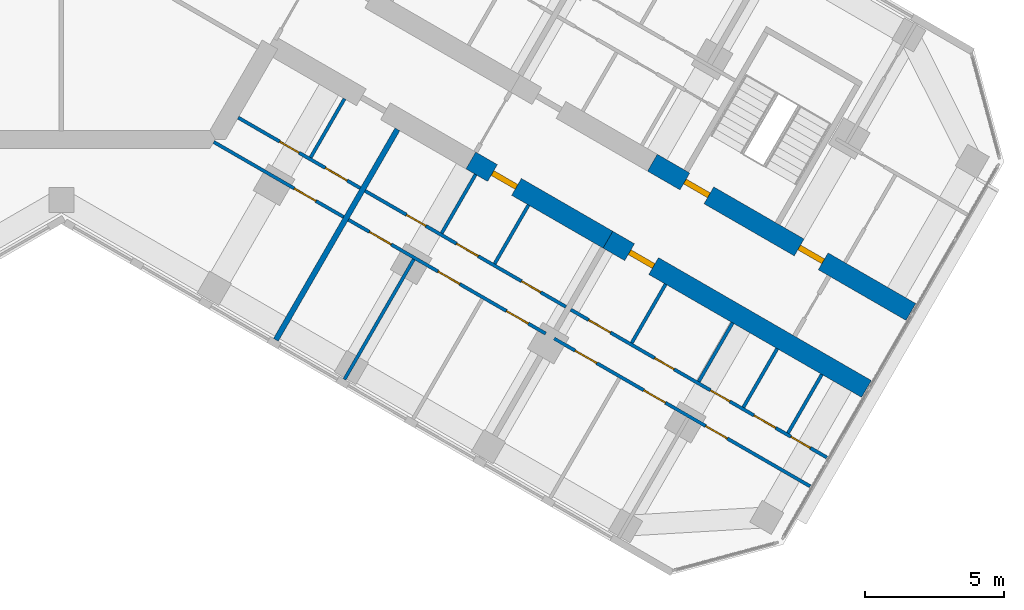
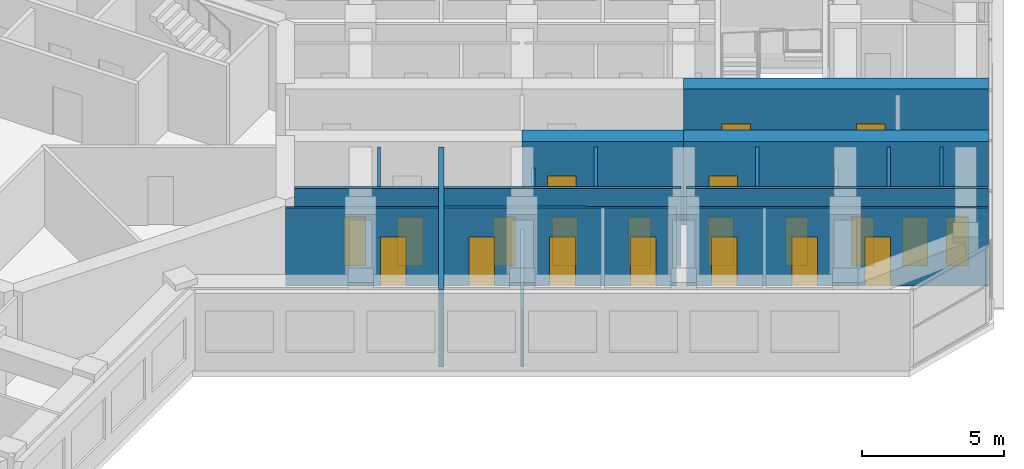
# One storey, part 11 of 16: 21 doors, 18 walls, 21 openings.
"""IFC4 building model written with IfcOpenShell, lengths in metres."""

from ifc_helpers import new_model, si_unit, direction, frame, frame_2d, origin, place, context, subcontext, project, spatial, rectangle, extrude, material, layer, layer_set, type_object, element, fill, save


model = new_model("IFC4")

# Units and contexts
model_context = context("Model", 3, precision=1e-05, world=origin(), true_north=direction((0.0, 1.0)))
body_context = subcontext(model_context, "Body", "Model", "MODEL_VIEW")
ifc_project = project(units=[si_unit("LENGTHUNIT", "METRE"), si_unit("AREAUNIT", "SQUARE_METRE"), si_unit("VOLUMEUNIT", "CUBIC_METRE"), si_unit("PLANEANGLEUNIT", "RADIAN"), si_unit("MASSUNIT", "GRAM", prefix="KILO")], contexts=[model_context])

# Site, building, storey
site_placement = place(None, origin())
site = spatial("IfcSite", under=ifc_project, at=site_placement, CompositionType="ELEMENT")
building_placement = place(site_placement, origin())
building = spatial("IfcBuilding", under=site, at=building_placement, Name="Kosmar Iwan School Tower", CompositionType="ELEMENT")
storey_placement = place(building_placement, frame((0.0, 0.0, 222.60009765625)))
storey = spatial("IfcBuildingStorey", under=building, at=storey_placement, Name="L56", CompositionType="ELEMENT", Elevation=222.60009765625)

# Wall, openings, doors
ifc_material_1 = material(Name="Concrete C50/60", Category="concrete")
ifc_layer_1 = layer(ifc_material_1, 0.699951171875)
ifc_layer_set_1 = layer_set([ifc_layer_1], Name="Corridor buttress wall 700")
wall_type_1 = type_object("IfcWallType", Name="Corridor buttress wall 700", PredefinedType="SHEAR", material=ifc_layer_set_1)
wall_1_placement = place(storey_placement, frame((21.281494140625, -10.439453125, 0.0), z_axis=(0.0, 0.0, 1.0), x_axis=(0.866032345022, -0.499987977232, 0.0)))
wall_1 = element("IfcWall", 1, at=wall_1_placement, inside=storey, type_object=wall_type_1, Name="Corridor wall CL bay 3", PredefinedType="SHEAR", context=body_context, shape_type="SweptSolid", body=[
    extrude(rectangle(XDim=10.744873046875, YDim=0.699951171875, at=frame_2d((5.37255859375, 0.0))), origin(), (0.0, 0.0, 1.0), 3.599853515625),
])
opening_1_placement = place(wall_1_placement, frame((6.10009765625, 0.0, 0.0)))
opening_1 = element("IfcOpeningElement", 2, at=opening_1_placement, cuts=wall_1, Name="Opening D1", PredefinedType="OPENING", context=body_context, shape_type="SweptSolid", body=[
    extrude(rectangle(XDim=1.0, YDim=2.10009765625, at=frame_2d((0.5, 1.050048828125))), frame((0.0, 0.362060546875, 0.0), z_axis=(0.0, -1.0, 0.0), x_axis=(1.0, 0.0, 0.0)), (0.0, 0.0, 1.0), 0.723876953125),
])
opening_2_placement = place(wall_1_placement, frame((1.35009765625, 0.0, 0.0)))
opening_2 = element("IfcOpeningElement", 3, at=opening_2_placement, cuts=wall_1, Name="Opening D6", PredefinedType="OPENING", context=body_context, shape_type="SweptSolid", body=[
    extrude(rectangle(XDim=1.0, YDim=2.10009765625, at=frame_2d((0.5, 1.050048828125))), frame((0.0, 0.362060546875, 0.0), z_axis=(0.0, -1.0, 0.0), x_axis=(1.0, 0.0, 0.0)), (0.0, 0.0, 1.0), 0.723876953125),
])
ifc_material_2 = material(Name="Timber fire door in steel frame", Category="steel")
door_type_1 = type_object("IfcDoorType", Name="Flat entrance door 1000x2100", OperationType="SINGLE_SWING_LEFT", PredefinedType="DOOR", material=ifc_material_2)
door_1_placement = place(opening_1_placement, origin())
door_1 = element("IfcDoor", 4, at=door_1_placement, inside=storey, type_object=door_type_1, Name="Flat L56-CL3 entrance door", OperationType="SINGLE_SWING_RIGHT", OverallHeight=2.10009765625, OverallWidth=1.0, PredefinedType="DOOR", context=body_context, shape_type="SweptSolid", body=[
    extrude(rectangle(XDim=1.0, YDim=2.10009765625, at=frame_2d((0.5, 1.050048828125))), frame((0.0, 0.10009765625, 0.0), z_axis=(0.0, -1.0, 0.0), x_axis=(1.0, 0.0, 0.0)), (0.0, 0.0, 1.0), 0.199951171875),
])
fill(opening_1, door_1)
ifc_material_3 = material(Name="Steel fire door", Category="steel")
door_type_2 = type_object("IfcDoorType", Name="Stair door 1000x2100", OperationType="SINGLE_SWING_LEFT", PredefinedType="DOOR", material=ifc_material_3)
door_2_placement = place(opening_2_placement, origin())
door_2 = element("IfcDoor", 5, at=door_2_placement, inside=storey, type_object=door_type_2, Name="Stair WS3 door L56", OperationType="SINGLE_SWING_LEFT", OverallHeight=2.10009765625, OverallWidth=1.0, PredefinedType="DOOR", context=body_context, shape_type="SweptSolid", body=[
    extrude(rectangle(XDim=1.0, YDim=2.10009765625, at=frame_2d((0.5, 1.050048828125))), frame((0.0, 0.10009765625, 0.0), z_axis=(0.0, -1.0, 0.0), x_axis=(1.0, 0.0, 0.0)), (0.0, 0.0, 1.0), 0.199951171875),
])
fill(opening_2, door_2)

# Wall, opening, door
wall_2_placement = place(storey_placement, frame((14.7451171875, -10.360595703125, 0.0), z_axis=(0.0, 0.0, 1.0), x_axis=(0.866015111908, -0.50001782563, 0.0)))
wall_2 = element("IfcWall", 6, at=wall_2_placement, inside=storey, type_object=wall_type_1, Name="Corridor wall CR bay 2", PredefinedType="SHEAR", context=body_context, shape_type="SweptSolid", body=[
    extrude(rectangle(XDim=5.699951171875, YDim=0.699951171875, at=frame_2d((2.85009765625, 0.0))), origin(), (0.0, 0.0, 1.0), 3.599853515625),
])
opening_3_placement = place(wall_2_placement, frame((0.89990234375, 0.0, 0.0)))
opening_3 = element("IfcOpeningElement", 7, at=opening_3_placement, cuts=wall_2, Name="Opening D1", PredefinedType="OPENING", context=body_context, shape_type="SweptSolid", body=[
    extrude(rectangle(XDim=1.0, YDim=2.10009765625, at=frame_2d((0.5, 1.050048828125))), frame((0.0, 0.362060546875, 0.0), z_axis=(0.0, -1.0, 0.0), x_axis=(1.0, 0.0, 0.0)), (0.0, 0.0, 1.0), 0.723876953125),
])
door_3_placement = place(opening_3_placement, origin())
door_3 = element("IfcDoor", 8, at=door_3_placement, inside=storey, type_object=door_type_1, Name="Flat L56-CR2 entrance door", OperationType="SINGLE_SWING_LEFT", OverallHeight=2.10009765625, OverallWidth=1.0, PredefinedType="DOOR", context=body_context, shape_type="SweptSolid", body=[
    extrude(rectangle(XDim=1.0, YDim=2.10009765625, at=frame_2d((0.5, 1.050048828125))), frame((0.0, 0.10009765625, 0.0), z_axis=(0.0, -1.0, 0.0), x_axis=(1.0, 0.0, 0.0)), (0.0, 0.0, 1.0), 0.199951171875),
])
fill(opening_3, door_3)

wall_3_placement = place(storey_placement, frame((19.681396484375, -13.210693359375, 0.0), z_axis=(0.0, 0.0, 1.0), x_axis=(0.866028186671, -0.499995179869, 0.0)))
wall_3 = element("IfcWall", 9, at=wall_3_placement, inside=storey, type_object=wall_type_1, Name="Corridor wall CR bay 3", PredefinedType="SHEAR", context=body_context, shape_type="SweptSolid", body=[
    extrude(rectangle(XDim=10.7451171875, YDim=0.699951171875, at=frame_2d((5.37255859375, 0.0))), origin(), (0.0, 0.0, 1.0), 3.599853515625),
])
opening_4_placement = place(wall_3_placement, frame((0.89990234375, 0.0, 0.0)))
opening_4 = element("IfcOpeningElement", 10, at=opening_4_placement, cuts=wall_3, Name="Opening D1", PredefinedType="OPENING", context=body_context, shape_type="SweptSolid", body=[
    extrude(rectangle(XDim=1.0, YDim=2.10009765625, at=frame_2d((0.5, 1.050048828125))), frame((0.0, 0.362060546875, 0.0), z_axis=(0.0, -1.0, 0.0), x_axis=(1.0, 0.0, 0.0)), (0.0, 0.0, 1.0), 0.723876953125),
])
door_4_placement = place(opening_4_placement, origin())
door_4 = element("IfcDoor", 11, at=door_4_placement, inside=storey, type_object=door_type_1, Name="Flat L56-CR3 entrance door", OperationType="SINGLE_SWING_LEFT", OverallHeight=2.10009765625, OverallWidth=1.0, PredefinedType="DOOR", context=body_context, shape_type="SweptSolid", body=[
    extrude(rectangle(XDim=1.0, YDim=2.10009765625, at=frame_2d((0.5, 1.050048828125))), frame((0.0, 0.10009765625, 0.0), z_axis=(0.0, -1.0, 0.0), x_axis=(1.0, 0.0, 0.0)), (0.0, 0.0, 1.0), 0.199951171875),
])
fill(opening_4, door_4)

# Wall, openings, doors
ifc_material_4 = material(Name="Gypsum board on steel studs", Category="steel")
ifc_layer_2 = layer(ifc_material_4, 0.1201171875)
ifc_layer_set_2 = layer_set([ifc_layer_2], Name="Dwelling partition 120")
wall_type_2 = type_object("IfcWallType", Name="Dwelling partition 120", PredefinedType="PARTITIONING", material=ifc_layer_set_2)
wall_4_placement = place(storey_placement, frame((6.370361328125, -8.81640625, 0.0), z_axis=(0.0, 0.0, 1.0), x_axis=(0.866034976542, -0.499983419131, 0.0)))
wall_4 = element("IfcWall", 12, at=wall_4_placement, inside=storey, type_object=wall_type_2, Name="Partition L56-CR1-W1", PredefinedType="PARTITIONING", context=body_context, shape_type="SweptSolid", body=[
    extrude(rectangle(XDim=5.074951171875, YDim=0.1201171875, at=frame_2d((2.53759765625, 0.0))), origin(), (0.0, 0.0, 1.0), 3.349853515625),
])
opening_5_placement = place(wall_4_placement, frame((1.72509765625, 0.0, 0.0)))
opening_5 = element("IfcOpeningElement", 13, at=opening_5_placement, cuts=wall_4, Name="Opening D3", PredefinedType="OPENING", context=body_context, shape_type="SweptSolid", body=[
    extrude(rectangle(XDim=0.800048828125, YDim=2.10009765625, at=frame_2d((0.39990234375, 1.050048828125))), frame((0.0, 0.072021484375, 0.0), z_axis=(0.0, -1.0, 0.0), x_axis=(1.0, 0.0, 0.0)), (0.0, 0.0, 1.0), 0.14404296875),
])
opening_6_placement = place(wall_4_placement, frame((3.625, 0.0, 0.0)))
opening_6 = element("IfcOpeningElement", 14, at=opening_6_placement, cuts=wall_4, Name="Opening D2", PredefinedType="OPENING", context=body_context, shape_type="SweptSolid", body=[
    extrude(rectangle(XDim=0.89990234375, YDim=2.10009765625, at=frame_2d((0.449951171875, 1.050048828125))), frame((0.0, 0.072021484375, 0.0), z_axis=(0.0, -1.0, 0.0), x_axis=(1.0, 0.0, 0.0)), (0.0, 0.0, 1.0), 0.14404296875),
])
ifc_material_5 = material(Name="Timber door in timber frame", Category="wood")
door_type_3 = type_object("IfcDoorType", Name="Internal door 900x2100", OperationType="SINGLE_SWING_LEFT", PredefinedType="DOOR", material=ifc_material_5)
door_5_placement = place(opening_6_placement, origin())
door_5 = element("IfcDoor", 15, at=door_5_placement, inside=storey, type_object=door_type_3, Name="Entrance hall door L56-CR1-S2", OperationType="SINGLE_SWING_RIGHT", OverallHeight=2.10009765625, OverallWidth=0.89990234375, PredefinedType="DOOR", context=body_context, shape_type="SweptSolid", body=[
    extrude(rectangle(XDim=0.89990234375, YDim=2.10009765625, at=frame_2d((0.449951171875, 1.050048828125))), frame((0.0, 0.02490234375, 0.0), z_axis=(0.0, -1.0, 0.0), x_axis=(1.0, 0.0, 0.0)), (0.0, 0.0, 1.0), 0.050048828125),
])
fill(opening_6, door_5)
ifc_material_6 = material(Name="Timber door in timber frame", Category="wood")
door_type_4 = type_object("IfcDoorType", Name="Sanitary room door 800x2100", OperationType="SINGLE_SWING_LEFT", PredefinedType="DOOR", material=ifc_material_6)
door_6_placement = place(opening_5_placement, origin())
door_6 = element("IfcDoor", 16, at=door_6_placement, inside=storey, type_object=door_type_4, Name="Bathroom door L56-CR1-S1", OperationType="SINGLE_SWING_RIGHT", OverallHeight=2.10009765625, OverallWidth=0.800048828125, PredefinedType="DOOR", context=body_context, shape_type="SweptSolid", body=[
    extrude(rectangle(XDim=0.800048828125, YDim=2.10009765625, at=frame_2d((0.39990234375, 1.050048828125))), frame((0.0, 0.02490234375, 0.0), z_axis=(0.0, -1.0, 0.0), x_axis=(1.0, 0.0, 0.0)), (0.0, 0.0, 1.0), 0.050048828125),
])
fill(opening_5, door_6)

# Wall, opening, door
wall_5_placement = place(storey_placement, frame((5.48876953125, -9.693115234375, 0.0), z_axis=(0.0, 0.0, 1.0), x_axis=(0.866028230842, -0.499995103361, 0.0)))
wall_5 = element("IfcWall", 17, at=wall_5_placement, inside=storey, type_object=wall_type_2, Name="Partition L56-CR1-W2", PredefinedType="PARTITIONING", context=body_context, shape_type="SweptSolid", body=[
    extrude(rectangle(XDim=5.39990234375, YDim=0.1201171875, at=frame_2d((2.699951171875, 0.0))), origin(), (0.0, 0.0, 1.0), 3.349853515625),
])
opening_7_placement = place(wall_5_placement, frame((3.35009765625, 0.0, 0.0)))
opening_7 = element("IfcOpeningElement", 18, at=opening_7_placement, cuts=wall_5, Name="Opening D2", PredefinedType="OPENING", context=body_context, shape_type="SweptSolid", body=[
    extrude(rectangle(XDim=0.89990234375, YDim=2.10009765625, at=frame_2d((0.449951171875, 1.050048828125))), frame((0.0, 0.072021484375, 0.0), z_axis=(0.0, -1.0, 0.0), x_axis=(1.0, 0.0, 0.0)), (0.0, 0.0, 1.0), 0.14404296875),
])
door_7_placement = place(opening_7_placement, origin())
door_7 = element("IfcDoor", 19, at=door_7_placement, inside=storey, type_object=door_type_3, Name="Studio living room and kitchen door L56-CR1-F1", OperationType="SINGLE_SWING_RIGHT", OverallHeight=2.10009765625, OverallWidth=0.89990234375, PredefinedType="DOOR", context=body_context, shape_type="SweptSolid", body=[
    extrude(rectangle(XDim=0.89990234375, YDim=2.10009765625, at=frame_2d((0.449951171875, 1.050048828125))), frame((0.0, 0.02490234375, 0.0), z_axis=(0.0, -1.0, 0.0), x_axis=(1.0, 0.0, 0.0)), (0.0, 0.0, 1.0), 0.050048828125),
])
fill(opening_7, door_7)

# Wall
wall_6_placement = place(storey_placement, frame((10.19677734375, -8.138671875, 0.0), z_axis=(0.0, 0.0, 1.0), x_axis=(-0.499959183527, -0.866048967903, 0.0)))
element("IfcWall", 20, at=wall_6_placement, inside=storey, type_object=wall_type_2, Name="Partition L56-CR1-Y1", PredefinedType="PARTITIONING", context=body_context, shape_type="SweptSolid", body=[
    extrude(rectangle(XDim=2.440185546875, YDim=0.1201171875, at=frame_2d((1.22021484375, 0.0))), origin(), (0.0, 0.0, 1.0), 3.349853515625),
])

# Wall, openings, doors
wall_7_placement = place(storey_placement, frame((10.9384765625, -11.453857421875, 0.0), z_axis=(0.0, 0.0, 1.0), x_axis=(0.866026859388, -0.499997478812, 0.0)))
wall_7 = element("IfcWall", 21, at=wall_7_placement, inside=storey, type_object=wall_type_2, Name="Partition L56-CR2-W1", PredefinedType="PARTITIONING", context=body_context, shape_type="SweptSolid", body=[
    extrude(rectangle(XDim=8.35009765625, YDim=0.1201171875, at=frame_2d((4.175048828125, 0.0))), origin(), (0.0, 0.0, 1.0), 3.349853515625),
])
opening_8_placement = place(wall_7_placement, frame((1.72509765625, 0.0, 0.0)))
opening_8 = element("IfcOpeningElement", 22, at=opening_8_placement, cuts=wall_7, Name="Opening D3", PredefinedType="OPENING", context=body_context, shape_type="SweptSolid", body=[
    extrude(rectangle(XDim=0.800048828125, YDim=2.10009765625, at=frame_2d((0.39990234375, 1.050048828125))), frame((0.0, 0.072021484375, 0.0), z_axis=(0.0, -1.0, 0.0), x_axis=(1.0, 0.0, 0.0)), (0.0, 0.0, 1.0), 0.14404296875),
])
opening_9_placement = place(wall_7_placement, frame((3.800048828125, 0.0, 0.0)))
opening_9 = element("IfcOpeningElement", 23, at=opening_9_placement, cuts=wall_7, Name="Opening D2", PredefinedType="OPENING", context=body_context, shape_type="SweptSolid", body=[
    extrude(rectangle(XDim=0.89990234375, YDim=2.10009765625, at=frame_2d((0.449951171875, 1.050048828125))), frame((0.0, 0.072021484375, 0.0), z_axis=(0.0, -1.0, 0.0), x_axis=(1.0, 0.0, 0.0)), (0.0, 0.0, 1.0), 0.14404296875),
])
opening_10_placement = place(wall_7_placement, frame((6.5, 0.0, 0.0)))
opening_10 = element("IfcOpeningElement", 24, at=opening_10_placement, cuts=wall_7, Name="Opening D3", PredefinedType="OPENING", context=body_context, shape_type="SweptSolid", body=[
    extrude(rectangle(XDim=0.800048828125, YDim=2.10009765625, at=frame_2d((0.39990234375, 1.050048828125))), frame((0.0, 0.072021484375, 0.0), z_axis=(0.0, -1.0, 0.0), x_axis=(1.0, 0.0, 0.0)), (0.0, 0.0, 1.0), 0.14404296875),
])
door_8_placement = place(opening_9_placement, origin())
door_8 = element("IfcDoor", 25, at=door_8_placement, inside=storey, type_object=door_type_3, Name="Entrance hall door L56-CR2-S2", OperationType="SINGLE_SWING_RIGHT", OverallHeight=2.10009765625, OverallWidth=0.89990234375, PredefinedType="DOOR", context=body_context, shape_type="SweptSolid", body=[
    extrude(rectangle(XDim=0.89990234375, YDim=2.10009765625, at=frame_2d((0.449951171875, 1.050048828125))), frame((0.0, 0.02490234375, 0.0), z_axis=(0.0, -1.0, 0.0), x_axis=(1.0, 0.0, 0.0)), (0.0, 0.0, 1.0), 0.050048828125),
])
fill(opening_9, door_8)
door_9_placement = place(opening_8_placement, origin())
door_9 = element("IfcDoor", 26, at=door_9_placement, inside=storey, type_object=door_type_4, Name="Bathroom door L56-CR2-S1", OperationType="SINGLE_SWING_RIGHT", OverallHeight=2.10009765625, OverallWidth=0.800048828125, PredefinedType="DOOR", context=body_context, shape_type="SweptSolid", body=[
    extrude(rectangle(XDim=0.800048828125, YDim=2.10009765625, at=frame_2d((0.39990234375, 1.050048828125))), frame((0.0, 0.02490234375, 0.0), z_axis=(0.0, -1.0, 0.0), x_axis=(1.0, 0.0, 0.0)), (0.0, 0.0, 1.0), 0.050048828125),
])
fill(opening_8, door_9)
door_10_placement = place(opening_10_placement, origin())
door_10 = element("IfcDoor", 27, at=door_10_placement, inside=storey, type_object=door_type_4, Name="Grandparents' shower room door L56-CR2-S3", OperationType="SINGLE_SWING_RIGHT", OverallHeight=2.10009765625, OverallWidth=0.800048828125, PredefinedType="DOOR", context=body_context, shape_type="SweptSolid", body=[
    extrude(rectangle(XDim=0.800048828125, YDim=2.10009765625, at=frame_2d((0.39990234375, 1.050048828125))), frame((0.0, 0.02490234375, 0.0), z_axis=(0.0, -1.0, 0.0), x_axis=(1.0, 0.0, 0.0)), (0.0, 0.0, 1.0), 0.050048828125),
])
fill(opening_10, door_10)

wall_8_placement = place(storey_placement, frame((10.338623046875, -12.492919921875, 0.0), z_axis=(0.0, 0.0, 1.0), x_axis=(0.866017504342, -0.500013681986, 0.0)))
wall_8 = element("IfcWall", 28, at=wall_8_placement, inside=storey, type_object=wall_type_2, Name="Partition L56-CR2-W2", PredefinedType="PARTITIONING", context=body_context, shape_type="SweptSolid", body=[
    extrude(rectangle(XDim=8.199951171875, YDim=0.1201171875, at=frame_2d((4.10009765625, 0.0))), origin(), (0.0, 0.0, 1.0), 3.349853515625),
])
opening_11_placement = place(wall_8_placement, frame((0.875, 0.0, 0.0)))
opening_11 = element("IfcOpeningElement", 29, at=opening_11_placement, cuts=wall_8, Name="Opening D2", PredefinedType="OPENING", context=body_context, shape_type="SweptSolid", body=[
    extrude(rectangle(XDim=0.89990234375, YDim=2.10009765625, at=frame_2d((0.449951171875, 1.050048828125))), frame((0.0, 0.072021484375, 0.0), z_axis=(0.0, -1.0, 0.0), x_axis=(1.0, 0.0, 0.0)), (0.0, 0.0, 1.0), 0.14404296875),
])
opening_12_placement = place(wall_8_placement, frame((3.72509765625, 0.0, 0.0)))
opening_12 = element("IfcOpeningElement", 30, at=opening_12_placement, cuts=wall_8, Name="Opening D2", PredefinedType="OPENING", context=body_context, shape_type="SweptSolid", body=[
    extrude(rectangle(XDim=0.89990234375, YDim=2.10009765625, at=frame_2d((0.449951171875, 1.050048828125))), frame((0.0, 0.072021484375, 0.0), z_axis=(0.0, -1.0, 0.0), x_axis=(1.0, 0.0, 0.0)), (0.0, 0.0, 1.0), 0.14404296875),
])
opening_13_placement = place(wall_8_placement, frame((6.574951171875, 0.0, 0.0)))
opening_13 = element("IfcOpeningElement", 31, at=opening_13_placement, cuts=wall_8, Name="Opening D2", PredefinedType="OPENING", context=body_context, shape_type="SweptSolid", body=[
    extrude(rectangle(XDim=0.89990234375, YDim=2.10009765625, at=frame_2d((0.449951171875, 1.050048828125))), frame((0.0, 0.072021484375, 0.0), z_axis=(0.0, -1.0, 0.0), x_axis=(1.0, 0.0, 0.0)), (0.0, 0.0, 1.0), 0.14404296875),
])
door_11_placement = place(opening_11_placement, origin())
door_11 = element("IfcDoor", 32, at=door_11_placement, inside=storey, type_object=door_type_3, Name="Grandparents' suite door L56-CR2-F1", OperationType="SINGLE_SWING_LEFT", OverallHeight=2.10009765625, OverallWidth=0.89990234375, PredefinedType="DOOR", context=body_context, shape_type="SweptSolid", body=[
    extrude(rectangle(XDim=0.89990234375, YDim=2.10009765625, at=frame_2d((0.449951171875, 1.050048828125))), frame((0.0, 0.02490234375, 0.0), z_axis=(0.0, -1.0, 0.0), x_axis=(1.0, 0.0, 0.0)), (0.0, 0.0, 1.0), 0.050048828125),
])
fill(opening_11, door_11)
door_12_placement = place(opening_12_placement, origin())
door_12 = element("IfcDoor", 33, at=door_12_placement, inside=storey, type_object=door_type_3, Name="Living room and kitchen door L56-CR2-F2", OperationType="SINGLE_SWING_RIGHT", OverallHeight=2.10009765625, OverallWidth=0.89990234375, PredefinedType="DOOR", context=body_context, shape_type="SweptSolid", body=[
    extrude(rectangle(XDim=0.89990234375, YDim=2.10009765625, at=frame_2d((0.449951171875, 1.050048828125))), frame((0.0, 0.02490234375, 0.0), z_axis=(0.0, -1.0, 0.0), x_axis=(1.0, 0.0, 0.0)), (0.0, 0.0, 1.0), 0.050048828125),
])
fill(opening_12, door_12)
door_13_placement = place(opening_13_placement, origin())
door_13 = element("IfcDoor", 34, at=door_13_placement, inside=storey, type_object=door_type_3, Name="Bedroom 1 door L56-CR2-F3", OperationType="SINGLE_SWING_RIGHT", OverallHeight=2.10009765625, OverallWidth=0.89990234375, PredefinedType="DOOR", context=body_context, shape_type="SweptSolid", body=[
    extrude(rectangle(XDim=0.89990234375, YDim=2.10009765625, at=frame_2d((0.449951171875, 1.050048828125))), frame((0.0, 0.02490234375, 0.0), z_axis=(0.0, -1.0, 0.0), x_axis=(1.0, 0.0, 0.0)), (0.0, 0.0, 1.0), 0.050048828125),
])
fill(opening_13, door_13)

# Walls
wall_9_placement = place(storey_placement, frame((12.690185546875, -13.919921875, 0.0), z_axis=(0.0, 0.0, 1.0), x_axis=(-0.500011847778, -0.866018563358, 0.0)))
element("IfcWall", 35, at=wall_9_placement, inside=storey, type_object=wall_type_2, Name="Partition L56-CR2-X1", PredefinedType="PARTITIONING", context=body_context, shape_type="SweptSolid", body=[
    extrude(rectangle(XDim=4.990234375, YDim=0.1201171875, at=frame_2d((2.4951171875, 0.0))), origin(), (0.0, 0.0, 1.0), 2.449951171875),
])
wall_10_placement = place(storey_placement, frame((14.91650390625, -10.86376953125, 0.0), z_axis=(0.0, 0.0, 1.0), x_axis=(-0.500002508028, -0.866023955769, 0.0)))
element("IfcWall", 36, at=wall_10_placement, inside=storey, type_object=wall_type_2, Name="Partition L56-CR2-Y1", PredefinedType="PARTITIONING", context=body_context, shape_type="SweptSolid", body=[
    extrude(rectangle(XDim=2.43994140625, YDim=0.1201171875, at=frame_2d((1.219970703125, 0.0))), origin(), (0.0, 0.0, 1.0), 2.449951171875),
])
wall_11_placement = place(storey_placement, frame((16.82177734375, -11.963623046875, 0.0), z_axis=(0.0, 0.0, 1.0), x_axis=(-0.499959183527, -0.866048967903, 0.0)))
element("IfcWall", 37, at=wall_11_placement, inside=storey, type_object=wall_type_2, Name="Partition L56-CR2-Y2", PredefinedType="PARTITIONING", context=body_context, shape_type="SweptSolid", body=[
    extrude(rectangle(XDim=2.440185546875, YDim=0.1201171875, at=frame_2d((1.22021484375, 0.0))), origin(), (0.0, 0.0, 1.0), 3.349853515625),
])

# Wall, openings, doors
wall_12_placement = place(storey_placement, frame((18.343017578125, -15.728759765625, 0.0), z_axis=(0.0, 0.0, 1.0), x_axis=(0.866028616566, -0.499994435258, 0.0)))
wall_12 = element("IfcWall", 38, at=wall_12_placement, inside=storey, type_object=wall_type_2, Name="Partition L56-CR3-W1", PredefinedType="PARTITIONING", context=body_context, shape_type="SweptSolid", body=[
    extrude(rectangle(XDim=10.64501953125, YDim=0.1201171875, at=frame_2d((5.322509765625, 0.0))), origin(), (0.0, 0.0, 1.0), 3.349853515625),
])
opening_14_placement = place(wall_12_placement, frame((0.75, 0.0, 0.0)))
opening_14 = element("IfcOpeningElement", 39, at=opening_14_placement, cuts=wall_12, Name="Opening D2", PredefinedType="OPENING", context=body_context, shape_type="SweptSolid", body=[
    extrude(rectangle(XDim=0.89990234375, YDim=2.10009765625, at=frame_2d((0.449951171875, 1.050048828125))), frame((0.0, 0.072021484375, 0.0), z_axis=(0.0, -1.0, 0.0), x_axis=(1.0, 0.0, 0.0)), (0.0, 0.0, 1.0), 0.14404296875),
])
opening_15_placement = place(wall_12_placement, frame((3.49169921875, 0.0, 0.0)))
opening_15 = element("IfcOpeningElement", 40, at=opening_15_placement, cuts=wall_12, Name="Opening D3", PredefinedType="OPENING", context=body_context, shape_type="SweptSolid", body=[
    extrude(rectangle(XDim=0.800048828125, YDim=2.10009765625, at=frame_2d((0.39990234375, 1.050048828125))), frame((0.0, 0.072021484375, 0.0), z_axis=(0.0, -1.0, 0.0), x_axis=(1.0, 0.0, 0.0)), (0.0, 0.0, 1.0), 0.14404296875),
])
opening_16_placement = place(wall_12_placement, frame((5.81103515625, 0.0, 0.0)))
opening_16 = element("IfcOpeningElement", 41, at=opening_16_placement, cuts=wall_12, Name="Opening D3", PredefinedType="OPENING", context=body_context, shape_type="SweptSolid", body=[
    extrude(rectangle(XDim=0.800048828125, YDim=2.10009765625, at=frame_2d((0.39990234375, 1.050048828125))), frame((0.0, 0.072021484375, 0.0), z_axis=(0.0, -1.0, 0.0), x_axis=(1.0, 0.0, 0.0)), (0.0, 0.0, 1.0), 0.14404296875),
])
opening_17_placement = place(wall_12_placement, frame((7.61669921875, 0.0, 0.0)))
opening_17 = element("IfcOpeningElement", 42, at=opening_17_placement, cuts=wall_12, Name="Opening D2", PredefinedType="OPENING", context=body_context, shape_type="SweptSolid", body=[
    extrude(rectangle(XDim=0.89990234375, YDim=2.10009765625, at=frame_2d((0.449951171875, 1.050048828125))), frame((0.0, 0.072021484375, 0.0), z_axis=(0.0, -1.0, 0.0), x_axis=(1.0, 0.0, 0.0)), (0.0, 0.0, 1.0), 0.14404296875),
])
opening_18_placement = place(wall_12_placement, frame((9.154541015625, 0.0, 0.0)))
opening_18 = element("IfcOpeningElement", 43, at=opening_18_placement, cuts=wall_12, Name="Opening D3", PredefinedType="OPENING", context=body_context, shape_type="SweptSolid", body=[
    extrude(rectangle(XDim=0.800048828125, YDim=2.10009765625, at=frame_2d((0.39990234375, 1.050048828125))), frame((0.0, 0.072021484375, 0.0), z_axis=(0.0, -1.0, 0.0), x_axis=(1.0, 0.0, 0.0)), (0.0, 0.0, 1.0), 0.14404296875),
])
door_14_placement = place(opening_14_placement, origin())
door_14 = element("IfcDoor", 44, at=door_14_placement, inside=storey, type_object=door_type_3, Name="Entrance hall door L56-CR3-S1", OperationType="SINGLE_SWING_RIGHT", OverallHeight=2.10009765625, OverallWidth=0.89990234375, PredefinedType="DOOR", context=body_context, shape_type="SweptSolid", body=[
    extrude(rectangle(XDim=0.89990234375, YDim=2.10009765625, at=frame_2d((0.449951171875, 1.050048828125))), frame((0.0, 0.02490234375, 0.0), z_axis=(0.0, -1.0, 0.0), x_axis=(1.0, 0.0, 0.0)), (0.0, 0.0, 1.0), 0.050048828125),
])
fill(opening_14, door_14)
door_15_placement = place(opening_17_placement, origin())
door_15 = element("IfcDoor", 45, at=door_15_placement, inside=storey, type_object=door_type_3, Name="Pantry door L56-CR3-S4", OperationType="SINGLE_SWING_LEFT", OverallHeight=2.10009765625, OverallWidth=0.89990234375, PredefinedType="DOOR", context=body_context, shape_type="SweptSolid", body=[
    extrude(rectangle(XDim=0.89990234375, YDim=2.10009765625, at=frame_2d((0.449951171875, 1.050048828125))), frame((0.0, 0.02490234375, 0.0), z_axis=(0.0, -1.0, 0.0), x_axis=(1.0, 0.0, 0.0)), (0.0, 0.0, 1.0), 0.050048828125),
])
fill(opening_17, door_15)
door_16_placement = place(opening_15_placement, origin())
door_16 = element("IfcDoor", 46, at=door_16_placement, inside=storey, type_object=door_type_4, Name="Bathroom door L56-CR3-S2", OperationType="SINGLE_SWING_LEFT", OverallHeight=2.10009765625, OverallWidth=0.800048828125, PredefinedType="DOOR", context=body_context, shape_type="SweptSolid", body=[
    extrude(rectangle(XDim=0.800048828125, YDim=2.10009765625, at=frame_2d((0.39990234375, 1.050048828125))), frame((0.0, 0.02490234375, 0.0), z_axis=(0.0, -1.0, 0.0), x_axis=(1.0, 0.0, 0.0)), (0.0, 0.0, 1.0), 0.050048828125),
])
fill(opening_15, door_16)
door_17_placement = place(opening_16_placement, origin())
door_17 = element("IfcDoor", 47, at=door_17_placement, inside=storey, type_object=door_type_4, Name="Shower room door L56-CR3-S3", OperationType="SINGLE_SWING_RIGHT", OverallHeight=2.10009765625, OverallWidth=0.800048828125, PredefinedType="DOOR", context=body_context, shape_type="SweptSolid", body=[
    extrude(rectangle(XDim=0.800048828125, YDim=2.10009765625, at=frame_2d((0.39990234375, 1.050048828125))), frame((0.0, 0.02490234375, 0.0), z_axis=(0.0, -1.0, 0.0), x_axis=(1.0, 0.0, 0.0)), (0.0, 0.0, 1.0), 0.050048828125),
])
fill(opening_16, door_17)
door_18_placement = place(opening_18_placement, origin())
door_18 = element("IfcDoor", 48, at=door_18_placement, inside=storey, type_object=door_type_4, Name="WC door L56-CR3-S5", OperationType="SINGLE_SWING_LEFT", OverallHeight=2.10009765625, OverallWidth=0.800048828125, PredefinedType="DOOR", context=body_context, shape_type="SweptSolid", body=[
    extrude(rectangle(XDim=0.800048828125, YDim=2.10009765625, at=frame_2d((0.39990234375, 1.050048828125))), frame((0.0, 0.02490234375, 0.0), z_axis=(0.0, -1.0, 0.0), x_axis=(1.0, 0.0, 0.0)), (0.0, 0.0, 1.0), 0.050048828125),
])
fill(opening_18, door_18)

wall_13_placement = place(storey_placement, frame((17.7431640625, -16.76806640625, 0.0), z_axis=(0.0, 0.0, 1.0), x_axis=(0.866022882905, -0.500004366266, 0.0)))
wall_13 = element("IfcWall", 49, at=wall_13_placement, inside=storey, type_object=wall_type_2, Name="Partition L56-CR3-W2", PredefinedType="PARTITIONING", context=body_context, shape_type="SweptSolid", body=[
    extrude(rectangle(XDim=10.64501953125, YDim=0.1201171875, at=frame_2d((5.322509765625, 0.0))), origin(), (0.0, 0.0, 1.0), 3.349853515625),
])
opening_19_placement = place(wall_13_placement, frame((0.875, 0.0, 0.0)))
opening_19 = element("IfcOpeningElement", 50, at=opening_19_placement, cuts=wall_13, Name="Opening D2", PredefinedType="OPENING", context=body_context, shape_type="SweptSolid", body=[
    extrude(rectangle(XDim=0.89990234375, YDim=2.10009765625, at=frame_2d((0.449951171875, 1.050048828125))), frame((0.0, 0.072021484375, 0.0), z_axis=(0.0, -1.0, 0.0), x_axis=(1.0, 0.0, 0.0)), (0.0, 0.0, 1.0), 0.14404296875),
])
opening_20_placement = place(wall_13_placement, frame((3.72509765625, 0.0, 0.0)))
opening_20 = element("IfcOpeningElement", 51, at=opening_20_placement, cuts=wall_13, Name="Opening D2", PredefinedType="OPENING", context=body_context, shape_type="SweptSolid", body=[
    extrude(rectangle(XDim=0.89990234375, YDim=2.10009765625, at=frame_2d((0.449951171875, 1.050048828125))), frame((0.0, 0.072021484375, 0.0), z_axis=(0.0, -1.0, 0.0), x_axis=(1.0, 0.0, 0.0)), (0.0, 0.0, 1.0), 0.14404296875),
])
opening_21_placement = place(wall_13_placement, frame((6.300048828125, 0.0, 0.0)))
opening_21 = element("IfcOpeningElement", 52, at=opening_21_placement, cuts=wall_13, Name="Opening D2", PredefinedType="OPENING", context=body_context, shape_type="SweptSolid", body=[
    extrude(rectangle(XDim=0.89990234375, YDim=2.10009765625, at=frame_2d((0.449951171875, 1.050048828125))), frame((0.0, 0.072021484375, 0.0), z_axis=(0.0, -1.0, 0.0), x_axis=(1.0, 0.0, 0.0)), (0.0, 0.0, 1.0), 0.14404296875),
])
door_19_placement = place(opening_19_placement, origin())
door_19 = element("IfcDoor", 53, at=door_19_placement, inside=storey, type_object=door_type_3, Name="Bedroom 1 door L56-CR3-F1", OperationType="SINGLE_SWING_LEFT", OverallHeight=2.10009765625, OverallWidth=0.89990234375, PredefinedType="DOOR", context=body_context, shape_type="SweptSolid", body=[
    extrude(rectangle(XDim=0.89990234375, YDim=2.10009765625, at=frame_2d((0.449951171875, 1.050048828125))), frame((0.0, 0.02490234375, 0.0), z_axis=(0.0, -1.0, 0.0), x_axis=(1.0, 0.0, 0.0)), (0.0, 0.0, 1.0), 0.050048828125),
])
fill(opening_19, door_19)
door_20_placement = place(opening_20_placement, origin())
door_20 = element("IfcDoor", 54, at=door_20_placement, inside=storey, type_object=door_type_3, Name="Bedroom 2 door L56-CR3-F2", OperationType="SINGLE_SWING_LEFT", OverallHeight=2.10009765625, OverallWidth=0.89990234375, PredefinedType="DOOR", context=body_context, shape_type="SweptSolid", body=[
    extrude(rectangle(XDim=0.89990234375, YDim=2.10009765625, at=frame_2d((0.449951171875, 1.050048828125))), frame((0.0, 0.02490234375, 0.0), z_axis=(0.0, -1.0, 0.0), x_axis=(1.0, 0.0, 0.0)), (0.0, 0.0, 1.0), 0.050048828125),
])
fill(opening_20, door_20)
door_21_placement = place(opening_21_placement, origin())
door_21 = element("IfcDoor", 55, at=door_21_placement, inside=storey, type_object=door_type_3, Name="Living room and kitchen door L56-CR3-F3", OperationType="SINGLE_SWING_RIGHT", OverallHeight=2.10009765625, OverallWidth=0.89990234375, PredefinedType="DOOR", context=body_context, shape_type="SweptSolid", body=[
    extrude(rectangle(XDim=0.89990234375, YDim=2.10009765625, at=frame_2d((0.449951171875, 1.050048828125))), frame((0.0, 0.02490234375, 0.0), z_axis=(0.0, -1.0, 0.0), x_axis=(1.0, 0.0, 0.0)), (0.0, 0.0, 1.0), 0.050048828125),
])
fill(opening_21, door_21)

# Walls
wall_14_placement = place(storey_placement, frame((21.758056640625, -14.813720703125, 0.0), z_axis=(0.0, 0.0, 1.0), x_axis=(-0.500002508028, -0.866023955769, 0.0)))
element("IfcWall", 56, at=wall_14_placement, inside=storey, type_object=wall_type_2, Name="Partition L56-CR3-Y1", PredefinedType="PARTITIONING", context=body_context, shape_type="SweptSolid", body=[
    extrude(rectangle(XDim=2.43994140625, YDim=0.1201171875, at=frame_2d((1.219970703125, 0.0))), origin(), (0.0, 0.0, 1.0), 3.349853515625),
])
wall_15_placement = place(storey_placement, frame((24.168701171875, -16.205322265625, 0.0), z_axis=(0.0, 0.0, 1.0), x_axis=(-0.500034220881, -0.866005645448, 0.0)))
element("IfcWall", 57, at=wall_15_placement, inside=storey, type_object=wall_type_2, Name="Partition L56-CR3-Y2", PredefinedType="PARTITIONING", context=body_context, shape_type="SweptSolid", body=[
    extrude(rectangle(XDim=2.440185546875, YDim=0.1201171875, at=frame_2d((1.22021484375, 0.0))), origin(), (0.0, 0.0, 1.0), 2.449951171875),
])
for number, where, z_axis, x_axis, name in (
    (58, (25.775634765625, -17.13330078125, 0.0), (0.0, 0.0, 1.0), (-0.500002508028, -0.866023955769, 0.0), "Partition L56-CR3-Y3"),
    (59, (27.382568359375, -18.06103515625, 0.0), (0.0, 0.0, 1.0), (-0.500002508028, -0.866023955769, 0.0), "Partition L56-CR3-Y4"),
):
    element("IfcWall", number, at=place(storey_placement, frame(where, z_axis=z_axis, x_axis=x_axis)), inside=storey, type_object=wall_type_2, Name=name, PredefinedType="PARTITIONING", context=body_context, shape_type="SweptSolid", body=[
        extrude(rectangle(XDim=2.43994140625, YDim=0.1201171875, at=frame_2d((1.219970703125, 0.0))), origin(), (0.0, 0.0, 1.0), 3.349853515625),
    ])
ifc_material_7 = material(Name="Concrete block masonry", Category="masonry")
ifc_layer_3 = layer(ifc_material_7, 0.199951171875)
ifc_layer_set_3 = layer_set([ifc_layer_3], Name="Party wall 200")
wall_type_3 = type_object("IfcWallType", Name="Party wall 200", PredefinedType="PARTITIONING", material=ifc_layer_set_3)
wall_16_placement = place(storey_placement, frame((12.10205078125, -9.23876953125, 0.0), z_axis=(0.0, 0.0, 1.0), x_axis=(-0.500004234368, -0.866022959057, 0.0)))
element("IfcWall", 60, at=wall_16_placement, inside=storey, type_object=wall_type_3, Name="Partition L56-CR2-PW", PredefinedType="PARTITIONING", context=body_context, shape_type="SweptSolid", body=[
    extrude(rectangle(XDim=8.75, YDim=0.199951171875, at=frame_2d((4.375, 0.0))), origin(), (0.0, 0.0, 1.0), 3.349853515625),
])

save(model, "model.ifc")
